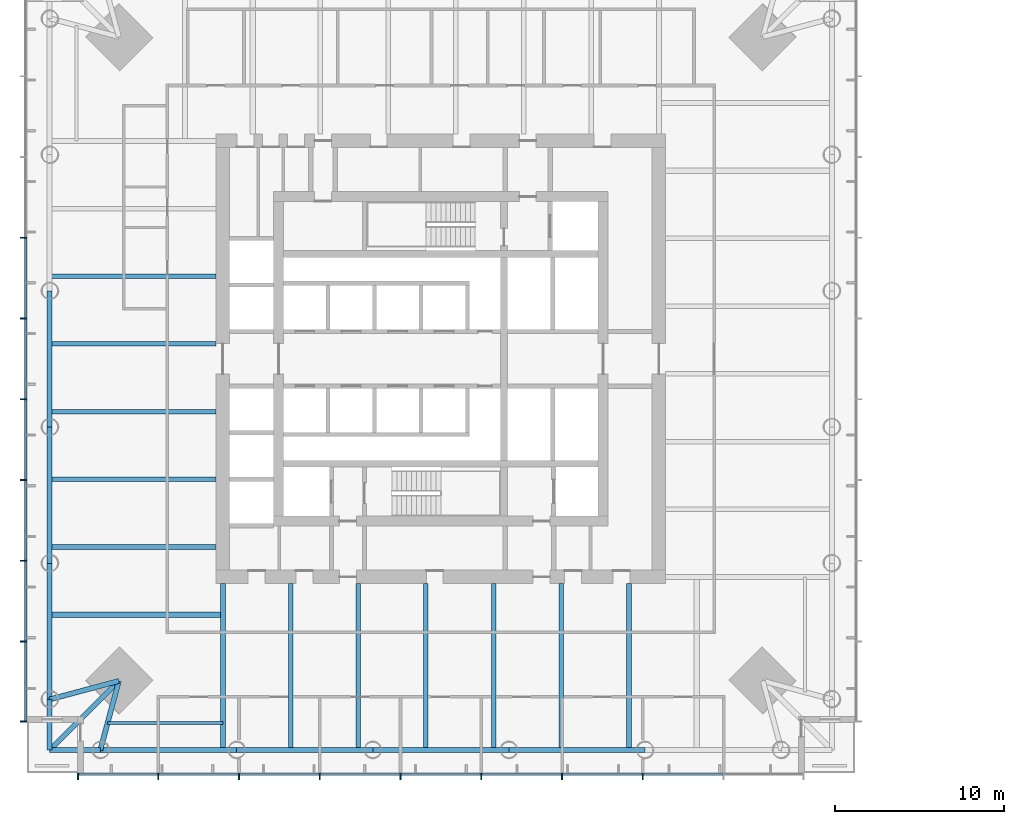
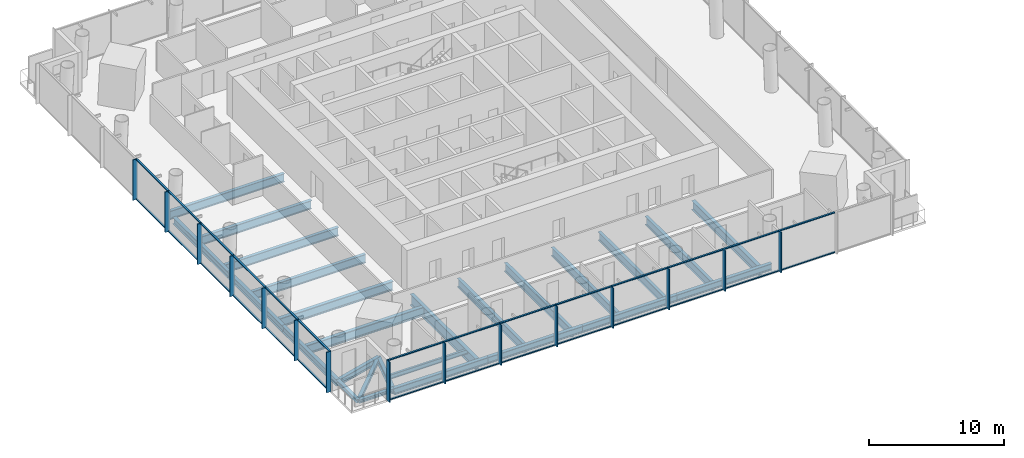
# One storey, part 2 of 21: 43 members, 26 beams, 2 elements without a shape of their own.
"""IFC4 building model written with IfcOpenShell, lengths in metres."""

from ifc_helpers import new_model, si_unit, direction, frame, origin, origin_2d, place, context, subcontext, project, spatial, rectangle, i_section, extrude, material, material_profile, profile_set, type_object, element, aggregate, save


model = new_model("IFC4")

# Units and contexts
model_context = context("Model", 3, precision=1e-05, world=origin(), true_north=direction((0.0, 1.0)))
body_context = subcontext(model_context, "Body", "Model", "MODEL_VIEW")
ifc_project = project(units=[si_unit("LENGTHUNIT", "METRE"), si_unit("AREAUNIT", "SQUARE_METRE"), si_unit("VOLUMEUNIT", "CUBIC_METRE"), si_unit("PLANEANGLEUNIT", "RADIAN"), si_unit("MASSUNIT", "GRAM", prefix="KILO")], contexts=[model_context])

# Site, building, storey
site_placement = place(None, origin())
site = spatial("IfcSite", under=ifc_project, at=site_placement, CompositionType="ELEMENT")
building_placement = place(site_placement, origin())
building = spatial("IfcBuilding", under=site, at=building_placement, Name="Ostroluk Exchange", CompositionType="ELEMENT")
storey_placement = place(building_placement, frame((0.0, 0.0, 47.60009765625)))
storey = spatial("IfcBuildingStorey", under=building, at=storey_placement, Name="L11", CompositionType="ELEMENT", Elevation=47.60009765625)

# Beams
ifc_material_1 = material(Name="Steel S355", Category="steel")
ifc_material_profile_1 = material_profile(ifc_material_1, i_section(OverallWidth=0.300048828125, OverallDepth=0.300048828125, WebThickness=0.010986328125, FlangeThickness=0.01904296875, FilletRadius=0.027099609375, at=origin_2d()), Name="HEB 300")
ifc_profile_set_1 = profile_set([ifc_material_profile_1], Name="Steel S355")
beam_type_1 = type_object("IfcBeamType", Name="Balcony beam HEB 300", PredefinedType="BEAM", material=ifc_profile_set_1)
for number, where, z_axis, x_axis, name in (
    (1, (21.85009765625, 25.85009765625, -0.330078125), (0.0, -1.0, 0.0), (1.0, 0.0, 0.0), "T1 west balcony beam a"),
    (2, (24.85009765625, 22.85009765625, -0.330078125), (-1.0, 0.0, 0.0), (0.0, -1.0, 0.0), "T1 west balcony beam b"),
):
    element("IfcBeam", number, at=place(storey_placement, frame(where, z_axis=z_axis, x_axis=x_axis)), inside=storey, type_object=beam_type_1, Name=name, PredefinedType="BEAM", context=body_context, shape_type="SweptSolid", body=[
        extrude(i_section(OverallWidth=0.300048828125, OverallDepth=0.300048828125, WebThickness=0.010986328125, FlangeThickness=0.01904296875, FilletRadius=0.027099609375, at=origin_2d()), origin(), (0.0, 0.0, 1.0), 3.0),
    ])
beam_1_placement = place(storey_placement, frame((25.949951171875, 26.949951171875, -0.330078125), z_axis=(-0.707106781187, -0.707106781187, 0.0), x_axis=(0.707106781187, -0.707106781187, 0.0)))
element("IfcBeam", 3, at=beam_1_placement, inside=storey, type_object=beam_type_1, Name="T1 west balcony beam c", PredefinedType="BEAM", context=body_context, shape_type="SweptSolid", body=[
    extrude(i_section(OverallWidth=0.300048828125, OverallDepth=0.300048828125, WebThickness=0.010986328125, FlangeThickness=0.01904296875, FilletRadius=0.027099609375, at=origin_2d()), origin(), (0.0, 0.0, 1.0), 5.798095703125),
])
ifc_material_2 = material(Name="Steel S355", Category="steel")
ifc_material_profile_2 = material_profile(ifc_material_2, i_section(OverallWidth=0.300048828125, OverallDepth=0.550048828125, WebThickness=0.014892578125, FlangeThickness=0.029052734375, FilletRadius=0.027099609375, at=origin_2d()), Name="HEB 550")
ifc_profile_set_2 = profile_set([ifc_material_profile_2], Name="Steel S355")
beam_type_2 = type_object("IfcBeamType", Name="Corner edge beam HEB 550", PredefinedType="SPANDREL", material=ifc_profile_set_2)
for number, where, z_axis, x_axis, name in (
    (4, (25.949951171875, 26.949951171875, -0.455078125), (-0.965849156574, -0.259105011038, 0.0), (0.259105011038, -0.965849156574, 0.0), "T1 west corner edge beam a"),
    (5, (25.949951171875, 26.949951171875, -0.455078125), (-0.259105011038, -0.965849156574, 0.0), (0.965849156574, -0.259105011038, 0.0), "T1 west corner edge beam b"),
):
    element("IfcBeam", number, at=place(storey_placement, frame(where, z_axis=z_axis, x_axis=x_axis)), inside=storey, type_object=beam_type_2, Name=name, PredefinedType="SPANDREL", context=body_context, shape_type="SweptSolid", body=[
        extrude(i_section(OverallWidth=0.300048828125, OverallDepth=0.550048828125, WebThickness=0.014892578125, FlangeThickness=0.029052734375, FilletRadius=0.027099609375, at=origin_2d()), origin(), (0.0, 0.0, 1.0), 4.244873046875),
    ])
ifc_material_3 = material(Name="Steel S355", Category="steel")
ifc_material_profile_3 = material_profile(ifc_material_3, i_section(OverallWidth=0.302978515625, OverallDepth=0.81396484375, WebThickness=0.02099609375, FlangeThickness=0.0400390625, FilletRadius=0.030029296875, at=origin_2d()), Name="HEM 800")
ifc_profile_set_3 = profile_set([ifc_material_profile_3], Name="Steel S355")
beam_type_3 = type_object("IfcBeamType", Name="Floor beam HEM 800", PredefinedType="BEAM", material=ifc_profile_set_3)
beam_2_placement = place(storey_placement, frame((31.699951171875, 34.86669921875, -0.587158203125), z_axis=(-1.0, 0.0, 0.0), x_axis=(0.0, -1.0, 0.0)))
element("IfcBeam", 6, at=beam_2_placement, inside=storey, type_object=beam_type_3, Name="T1 west floor beam 6", PredefinedType="BEAM", context=body_context, shape_type="SweptSolid", body=[
    extrude(i_section(OverallWidth=0.302978515625, OverallDepth=0.81396484375, WebThickness=0.02099609375, FlangeThickness=0.0400390625, FilletRadius=0.030029296875, at=origin_2d()), origin(), (0.0, 0.0, 1.0), 9.849853515625),
])
beam_3_placement = place(storey_placement, frame((32.10009765625, 30.861083984375, -0.587158203125), z_axis=(-1.0, 0.0, 0.0), x_axis=(0.0, -1.0, 0.0)))
element("IfcBeam", 7, at=beam_3_placement, inside=storey, type_object=beam_type_3, Name="T1 west floor beam 7", PredefinedType="BEAM", context=body_context, shape_type="SweptSolid", body=[
    extrude(i_section(OverallWidth=0.302978515625, OverallDepth=0.81396484375, WebThickness=0.02099609375, FlangeThickness=0.0400390625, FilletRadius=0.030029296875, at=origin_2d()), origin(), (0.0, 0.0, 1.0), 10.25),
])
beam_4_placement = place(storey_placement, frame((56.13330078125, 32.699951171875, -0.587158203125), z_axis=(0.0, -1.0, 0.0), x_axis=(1.0, 0.0, 0.0)))
element("IfcBeam", 8, at=beam_4_placement, inside=storey, type_object=beam_type_3, Name="T1 south floor beam 6", PredefinedType="BEAM", context=body_context, shape_type="SweptSolid", body=[
    extrude(i_section(OverallWidth=0.302978515625, OverallDepth=0.81396484375, WebThickness=0.02099609375, FlangeThickness=0.0400390625, FilletRadius=0.030029296875, at=origin_2d()), origin(), (0.0, 0.0, 1.0), 9.849853515625),
])
ifc_material_4 = material(Name="Steel S355", Category="steel")
ifc_material_profile_4 = material_profile(ifc_material_4, i_section(OverallWidth=0.179931640625, OverallDepth=0.39990234375, WebThickness=0.008544921875, FlangeThickness=0.013427734375, FilletRadius=0.02099609375, at=origin_2d()), Name="IPE 400")
ifc_profile_set_4 = profile_set([ifc_material_profile_4], Name="Steel S355")
beam_type_4 = type_object("IfcBeamType", Name="Floor beam IPE 400", PredefinedType="BEAM", material=ifc_profile_set_4)
beam_5_placement = place(storey_placement, frame((32.10009765625, 24.449951171875, -0.380126953125), z_axis=(-1.0, 0.0, 0.0), x_axis=(0.0, -1.0, 0.0)))
element("IfcBeam", 9, at=beam_5_placement, inside=storey, type_object=beam_type_4, Name="T1 west floor beam 8", PredefinedType="BEAM", context=body_context, shape_type="SweptSolid", body=[
    extrude(i_section(OverallWidth=0.179931640625, OverallDepth=0.39990234375, WebThickness=0.008544921875, FlangeThickness=0.013427734375, FilletRadius=0.02099609375, at=origin_2d()), origin(), (0.0, 0.0, 1.0), 6.82080078125),
])
ifc_material_5 = material(Name="Steel S355", Category="steel")
ifc_material_profile_5 = material_profile(ifc_material_5, i_section(OverallWidth=0.26806640625, OverallDepth=0.77001953125, WebThickness=0.015625, FlangeThickness=0.025390625, FilletRadius=0.01708984375, at=origin_2d()), Name="IPE 750x196")
ifc_profile_set_5 = profile_set([ifc_material_profile_5], Name="Steel S355")
beam_type_5 = type_object("IfcBeamType", Name="Floor beam IPE 750x196", PredefinedType="BEAM", material=ifc_profile_set_5)
for number, where, z_axis, x_axis, name in (
    (10, (31.699951171875, 50.888916015625, -0.565185546875), (-1.0, 0.0, 0.0), (0.0, -1.0, 0.0), "T1 west floor beam 2"),
    (11, (31.699951171875, 46.88330078125, -0.565185546875), (-1.0, 0.0, 0.0), (0.0, -1.0, 0.0), "T1 west floor beam 3"),
    (12, (31.699951171875, 42.877685546875, -0.565185546875), (-1.0, 0.0, 0.0), (0.0, -1.0, 0.0), "T1 west floor beam 4"),
    (13, (31.699951171875, 38.872314453125, -0.565185546875), (-1.0, 0.0, 0.0), (0.0, -1.0, 0.0), "T1 west floor beam 5"),
    (14, (36.10546875, 32.699951171875, -0.565185546875), (0.0, -1.0, 0.0), (1.0, 0.0, 0.0), "T1 south floor beam 1"),
    (15, (40.111083984375, 32.699951171875, -0.565185546875), (0.0, -1.0, 0.0), (1.0, 0.0, 0.0), "T1 south floor beam 2"),
    (16, (44.11669921875, 32.699951171875, -0.565185546875), (0.0, -1.0, 0.0), (1.0, 0.0, 0.0), "T1 south floor beam 3"),
    (17, (48.122314453125, 32.699951171875, -0.565185546875), (0.0, -1.0, 0.0), (1.0, 0.0, 0.0), "T1 south floor beam 4"),
    (18, (52.127685546875, 32.699951171875, -0.565185546875), (0.0, -1.0, 0.0), (1.0, 0.0, 0.0), "T1 south floor beam 5"),
):
    element("IfcBeam", number, at=place(storey_placement, frame(where, z_axis=z_axis, x_axis=x_axis)), inside=storey, type_object=beam_type_5, Name=name, PredefinedType="BEAM", context=body_context, shape_type="SweptSolid", body=[
        extrude(i_section(OverallWidth=0.26806640625, OverallDepth=0.77001953125, WebThickness=0.015625, FlangeThickness=0.025390625, FilletRadius=0.01708984375, at=origin_2d()), origin(), (0.0, 0.0, 1.0), 9.849853515625),
    ])
ifc_material_6 = material(Name="Steel S355", Category="steel")
ifc_material_profile_6 = material_profile(ifc_material_6, i_section(OverallWidth=0.302001953125, OverallDepth=1.008056640625, WebThickness=0.02099609375, FlangeThickness=0.0400390625, FilletRadius=0.030029296875, at=origin_2d()), Name="HEM 1000")
ifc_profile_set_6 = profile_set([ifc_material_profile_6], Name="Steel S355")
beam_type_6 = type_object("IfcBeamType", Name="Girder HEM 1000", PredefinedType="BEAM", material=ifc_profile_set_6)
beam_6_placement = place(storey_placement, frame((32.10009765625, 32.699951171875, -0.68408203125), z_axis=(0.0, -1.0, 0.0), x_axis=(1.0, 0.0, 0.0)))
element("IfcBeam", 19, at=beam_6_placement, inside=storey, type_object=beam_type_6, Name="T1 west girder", PredefinedType="BEAM", context=body_context, shape_type="SweptSolid", body=[
    extrude(i_section(OverallWidth=0.302001953125, OverallDepth=1.008056640625, WebThickness=0.02099609375, FlangeThickness=0.0400390625, FilletRadius=0.030029296875, at=origin_2d()), origin(), (0.0, 0.0, 1.0), 9.849853515625),
])
ifc_material_7 = material(Name="Steel S355", Category="steel")
ifc_material_profile_7 = material_profile(ifc_material_7, i_section(OverallWidth=0.300048828125, OverallDepth=0.60009765625, WebThickness=0.015380859375, FlangeThickness=0.030029296875, FilletRadius=0.027099609375, at=origin_2d()), Name="HEB 600")
ifc_profile_set_7 = profile_set([ifc_material_profile_7], Name="Steel S355")
beam_type_7 = type_object("IfcBeamType", Name="Moment-connected edge beam HEB 600", PredefinedType="SPANDREL", material=ifc_profile_set_7)
for number, where, z_axis, x_axis, name in (
    (20, (21.85009765625, 50.030029296875, -0.47998046875), (0.0, -1.0, 0.0), (1.0, 0.0, 0.0), "T1 west edge beam 3"),
    (21, (21.85009765625, 41.969970703125, -0.47998046875), (0.0, -1.0, 0.0), (1.0, 0.0, 0.0), "T1 west edge beam 4"),
):
    element("IfcBeam", number, at=place(storey_placement, frame(where, z_axis=z_axis, x_axis=x_axis)), inside=storey, type_object=beam_type_7, Name=name, PredefinedType="SPANDREL", context=body_context, shape_type="SweptSolid", body=[
        extrude(i_section(OverallWidth=0.300048828125, OverallDepth=0.60009765625, WebThickness=0.015380859375, FlangeThickness=0.030029296875, FilletRadius=0.027099609375, at=origin_2d()), origin(), (0.0, 0.0, 1.0), 8.06005859375),
    ])
for number, where, z_axis, x_axis, name in (
    (22, (21.85009765625, 33.909912109375, -0.47998046875), (0.0, -1.0, 0.0), (1.0, 0.0, 0.0), "T1 west edge beam 5"),
    (23, (24.85009765625, 22.85009765625, -0.47998046875), (1.0, 0.0, 0.0), (0.0, 1.0, 0.0), "T1 south edge beam 1"),
):
    element("IfcBeam", number, at=place(storey_placement, frame(where, z_axis=z_axis, x_axis=x_axis)), inside=storey, type_object=beam_type_7, Name=name, PredefinedType="SPANDREL", context=body_context, shape_type="SweptSolid", body=[
        extrude(i_section(OverallWidth=0.300048828125, OverallDepth=0.60009765625, WebThickness=0.015380859375, FlangeThickness=0.030029296875, FilletRadius=0.027099609375, at=origin_2d()), origin(), (0.0, 0.0, 1.0), 8.059814453125),
    ])
for number, where, z_axis, x_axis, name in (
    (24, (32.909912109375, 22.85009765625, -0.47998046875), (1.0, 0.0, 0.0), (0.0, 1.0, 0.0), "T1 south edge beam 2"),
    (25, (40.969970703125, 22.85009765625, -0.47998046875), (1.0, 0.0, 0.0), (0.0, 1.0, 0.0), "T1 south edge beam 3"),
    (26, (49.030029296875, 22.85009765625, -0.47998046875), (1.0, 0.0, 0.0), (0.0, 1.0, 0.0), "T1 south edge beam 4"),
):
    element("IfcBeam", number, at=place(storey_placement, frame(where, z_axis=z_axis, x_axis=x_axis)), inside=storey, type_object=beam_type_7, Name=name, PredefinedType="SPANDREL", context=body_context, shape_type="SweptSolid", body=[
        extrude(i_section(OverallWidth=0.300048828125, OverallDepth=0.60009765625, WebThickness=0.015380859375, FlangeThickness=0.030029296875, FilletRadius=0.027099609375, at=origin_2d()), origin(), (0.0, 0.0, 1.0), 8.06005859375),
    ])

# Curtain wall, members
ifc_material_8 = material(Name="Laminated clear glass", Category="glass")
curtain_wall_type = type_object("IfcCurtainWallType", Name="Office tower facade", PredefinedType="USERDEFINED", material=ifc_material_8)
curtain_wall_1_placement = place(storey_placement, origin())
curtain_wall_1 = element("IfcCurtainWall", 27, at=curtain_wall_1_placement, inside=storey, type_object=curtain_wall_type, Name="Office tower south facade L11", ObjectType="UNITISED CURTAIN WALL", PredefinedType="USERDEFINED")
ifc_material_9 = material(Name="Aluminium mullion", Category="aluminium")
ifc_material_profile_8 = material_profile(ifc_material_9, rectangle(XDim=0.14990234375, YDim=0.080078125, at=origin_2d()), Name="Sill transom 80 x 150")
ifc_profile_set_8 = profile_set([ifc_material_profile_8], Name="Aluminium mullion")
member_type_1 = type_object("IfcMemberType", Name="Sill transom 80 x 150", PredefinedType="USERDEFINED", material=ifc_profile_set_8)
member_1_placement = place(storey_placement, frame((23.580078125, 21.425048828125, 0.039794921875), z_axis=(1.0, 0.0, 0.0), x_axis=(0.0, 1.0, 0.0)))
member_1 = element("IfcMember", 28, at=member_1_placement, type_object=member_type_1, Name="CW-O1 transom 1.1", ObjectType="TRANSOM", PredefinedType="USERDEFINED", context=body_context, shape_type="SweptSolid", body=[
    extrude(rectangle(XDim=0.14990234375, YDim=0.080078125, at=origin_2d()), origin(), (0.0, 0.0, 1.0), 4.65771484375),
])
member_2_placement = place(storey_placement, frame((23.580078125, 21.425048828125, 3.60986328125), z_axis=(1.0, 0.0, 0.0), x_axis=(0.0, 1.0, 0.0)))
member_2 = element("IfcMember", 29, at=member_2_placement, type_object=member_type_1, Name="CW-O1 transom 1.2", ObjectType="TRANSOM", PredefinedType="USERDEFINED", context=body_context, shape_type="SweptSolid", body=[
    extrude(rectangle(XDim=0.14990234375, YDim=0.080078125, at=origin_2d()), origin(), (0.0, 0.0, 1.0), 4.65771484375),
])
member_3_placement = place(storey_placement, frame((28.31787109375, 21.425048828125, 0.039794921875), z_axis=(1.0, 0.0, 0.0), x_axis=(0.0, 1.0, 0.0)))
member_3 = element("IfcMember", 30, at=member_3_placement, type_object=member_type_1, Name="CW-O1 transom 2.1", ObjectType="TRANSOM", PredefinedType="USERDEFINED", context=body_context, shape_type="SweptSolid", body=[
    extrude(rectangle(XDim=0.14990234375, YDim=0.080078125, at=origin_2d()), origin(), (0.0, 0.0, 1.0), 4.69775390625),
])
member_4_placement = place(storey_placement, frame((28.31787109375, 21.425048828125, 3.60986328125), z_axis=(1.0, 0.0, 0.0), x_axis=(0.0, 1.0, 0.0)))
member_4 = element("IfcMember", 31, at=member_4_placement, type_object=member_type_1, Name="CW-O1 transom 2.2", ObjectType="TRANSOM", PredefinedType="USERDEFINED", context=body_context, shape_type="SweptSolid", body=[
    extrude(rectangle(XDim=0.14990234375, YDim=0.080078125, at=origin_2d()), origin(), (0.0, 0.0, 1.0), 4.69775390625),
])
member_5_placement = place(storey_placement, frame((33.095458984375, 21.425048828125, 0.039794921875), z_axis=(1.0, 0.0, 0.0), x_axis=(0.0, 1.0, 0.0)))
member_5 = element("IfcMember", 32, at=member_5_placement, type_object=member_type_1, Name="CW-O1 transom 3.1", ObjectType="TRANSOM", PredefinedType="USERDEFINED", context=body_context, shape_type="SweptSolid", body=[
    extrude(rectangle(XDim=0.14990234375, YDim=0.080078125, at=origin_2d()), origin(), (0.0, 0.0, 1.0), 4.69775390625),
])
member_6_placement = place(storey_placement, frame((33.095458984375, 21.425048828125, 3.60986328125), z_axis=(1.0, 0.0, 0.0), x_axis=(0.0, 1.0, 0.0)))
member_6 = element("IfcMember", 33, at=member_6_placement, type_object=member_type_1, Name="CW-O1 transom 3.2", ObjectType="TRANSOM", PredefinedType="USERDEFINED", context=body_context, shape_type="SweptSolid", body=[
    extrude(rectangle(XDim=0.14990234375, YDim=0.080078125, at=origin_2d()), origin(), (0.0, 0.0, 1.0), 4.69775390625),
])
member_7_placement = place(storey_placement, frame((37.873291015625, 21.425048828125, 0.039794921875), z_axis=(1.0, 0.0, 0.0), x_axis=(0.0, 1.0, 0.0)))
member_7 = element("IfcMember", 34, at=member_7_placement, type_object=member_type_1, Name="CW-O1 transom 4.1", ObjectType="TRANSOM", PredefinedType="USERDEFINED", context=body_context, shape_type="SweptSolid", body=[
    extrude(rectangle(XDim=0.14990234375, YDim=0.080078125, at=origin_2d()), origin(), (0.0, 0.0, 1.0), 4.69775390625),
])
member_8_placement = place(storey_placement, frame((37.873291015625, 21.425048828125, 3.60986328125), z_axis=(1.0, 0.0, 0.0), x_axis=(0.0, 1.0, 0.0)))
member_8 = element("IfcMember", 35, at=member_8_placement, type_object=member_type_1, Name="CW-O1 transom 4.2", ObjectType="TRANSOM", PredefinedType="USERDEFINED", context=body_context, shape_type="SweptSolid", body=[
    extrude(rectangle(XDim=0.14990234375, YDim=0.080078125, at=origin_2d()), origin(), (0.0, 0.0, 1.0), 4.69775390625),
])
member_9_placement = place(storey_placement, frame((42.651123046875, 21.425048828125, 0.039794921875), z_axis=(1.0, 0.0, 0.0), x_axis=(0.0, 1.0, 0.0)))
member_9 = element("IfcMember", 36, at=member_9_placement, type_object=member_type_1, Name="CW-O1 transom 5.1", ObjectType="TRANSOM", PredefinedType="USERDEFINED", context=body_context, shape_type="SweptSolid", body=[
    extrude(rectangle(XDim=0.14990234375, YDim=0.080078125, at=origin_2d()), origin(), (0.0, 0.0, 1.0), 4.69775390625),
])
member_10_placement = place(storey_placement, frame((42.651123046875, 21.425048828125, 3.60986328125), z_axis=(1.0, 0.0, 0.0), x_axis=(0.0, 1.0, 0.0)))
member_10 = element("IfcMember", 37, at=member_10_placement, type_object=member_type_1, Name="CW-O1 transom 5.2", ObjectType="TRANSOM", PredefinedType="USERDEFINED", context=body_context, shape_type="SweptSolid", body=[
    extrude(rectangle(XDim=0.14990234375, YDim=0.080078125, at=origin_2d()), origin(), (0.0, 0.0, 1.0), 4.69775390625),
])
member_11_placement = place(storey_placement, frame((47.428955078125, 21.425048828125, 0.039794921875), z_axis=(1.0, 0.0, 0.0), x_axis=(0.0, 1.0, 0.0)))
member_11 = element("IfcMember", 38, at=member_11_placement, type_object=member_type_1, Name="CW-O1 transom 6.1", ObjectType="TRANSOM", PredefinedType="USERDEFINED", context=body_context, shape_type="SweptSolid", body=[
    extrude(rectangle(XDim=0.14990234375, YDim=0.080078125, at=origin_2d()), origin(), (0.0, 0.0, 1.0), 4.69775390625),
])
member_12_placement = place(storey_placement, frame((47.428955078125, 21.425048828125, 3.60986328125), z_axis=(1.0, 0.0, 0.0), x_axis=(0.0, 1.0, 0.0)))
member_12 = element("IfcMember", 39, at=member_12_placement, type_object=member_type_1, Name="CW-O1 transom 6.2", ObjectType="TRANSOM", PredefinedType="USERDEFINED", context=body_context, shape_type="SweptSolid", body=[
    extrude(rectangle(XDim=0.14990234375, YDim=0.080078125, at=origin_2d()), origin(), (0.0, 0.0, 1.0), 4.69775390625),
])
member_13_placement = place(storey_placement, frame((52.206787109375, 21.425048828125, 0.039794921875), z_axis=(1.0, 0.0, 0.0), x_axis=(0.0, 1.0, 0.0)))
member_13 = element("IfcMember", 40, at=member_13_placement, type_object=member_type_1, Name="CW-O1 transom 7.1", ObjectType="TRANSOM", PredefinedType="USERDEFINED", context=body_context, shape_type="SweptSolid", body=[
    extrude(rectangle(XDim=0.14990234375, YDim=0.080078125, at=origin_2d()), origin(), (0.0, 0.0, 1.0), 4.69775390625),
])
member_14_placement = place(storey_placement, frame((52.206787109375, 21.425048828125, 3.60986328125), z_axis=(1.0, 0.0, 0.0), x_axis=(0.0, 1.0, 0.0)))
member_14 = element("IfcMember", 41, at=member_14_placement, type_object=member_type_1, Name="CW-O1 transom 7.2", ObjectType="TRANSOM", PredefinedType="USERDEFINED", context=body_context, shape_type="SweptSolid", body=[
    extrude(rectangle(XDim=0.14990234375, YDim=0.080078125, at=origin_2d()), origin(), (0.0, 0.0, 1.0), 4.69775390625),
])
member_15_placement = place(storey_placement, frame((56.984375, 21.425048828125, 0.039794921875), z_axis=(1.0, 0.0, 0.0), x_axis=(0.0, 1.0, 0.0)))
member_15 = element("IfcMember", 42, at=member_15_placement, type_object=member_type_1, Name="CW-O1 transom 8.1", ObjectType="TRANSOM", PredefinedType="USERDEFINED", context=body_context, shape_type="SweptSolid", body=[
    extrude(rectangle(XDim=0.14990234375, YDim=0.080078125, at=origin_2d()), origin(), (0.0, 0.0, 1.0), 4.69775390625),
])
member_16_placement = place(storey_placement, frame((56.984375, 21.425048828125, 3.60986328125), z_axis=(1.0, 0.0, 0.0), x_axis=(0.0, 1.0, 0.0)))
member_16 = element("IfcMember", 43, at=member_16_placement, type_object=member_type_1, Name="CW-O1 transom 8.2", ObjectType="TRANSOM", PredefinedType="USERDEFINED", context=body_context, shape_type="SweptSolid", body=[
    extrude(rectangle(XDim=0.14990234375, YDim=0.080078125, at=origin_2d()), origin(), (0.0, 0.0, 1.0), 4.69775390625),
])

curtain_wall_2_placement = place(storey_placement, origin())
curtain_wall_2 = element("IfcCurtainWall", 44, at=curtain_wall_2_placement, inside=storey, type_object=curtain_wall_type, Name="Office tower west facade L11", ObjectType="UNITISED CURTAIN WALL", PredefinedType="USERDEFINED")
member_17_placement = place(storey_placement, frame((20.425048828125, 53.126708984375, 0.039794921875), z_axis=(0.0, -1.0, 0.0), x_axis=(1.0, 0.0, 0.0)))
member_17 = element("IfcMember", 45, at=member_17_placement, type_object=member_type_1, Name="CW-O1 transom 4.1", ObjectType="TRANSOM", PredefinedType="USERDEFINED", context=body_context, shape_type="SweptSolid", body=[
    extrude(rectangle(XDim=0.14990234375, YDim=0.080078125, at=origin_2d()), origin(), (0.0, 0.0, 1.0), 4.69775390625),
])
member_18_placement = place(storey_placement, frame((20.425048828125, 53.126708984375, 3.60986328125), z_axis=(0.0, -1.0, 0.0), x_axis=(1.0, 0.0, 0.0)))
member_18 = element("IfcMember", 46, at=member_18_placement, type_object=member_type_1, Name="CW-O1 transom 4.2", ObjectType="TRANSOM", PredefinedType="USERDEFINED", context=body_context, shape_type="SweptSolid", body=[
    extrude(rectangle(XDim=0.14990234375, YDim=0.080078125, at=origin_2d()), origin(), (0.0, 0.0, 1.0), 4.69775390625),
])
member_19_placement = place(storey_placement, frame((20.425048828125, 48.348876953125, 0.039794921875), z_axis=(0.0, -1.0, 0.0), x_axis=(1.0, 0.0, 0.0)))
member_19 = element("IfcMember", 47, at=member_19_placement, type_object=member_type_1, Name="CW-O1 transom 5.1", ObjectType="TRANSOM", PredefinedType="USERDEFINED", context=body_context, shape_type="SweptSolid", body=[
    extrude(rectangle(XDim=0.14990234375, YDim=0.080078125, at=origin_2d()), origin(), (0.0, 0.0, 1.0), 4.69775390625),
])
member_20_placement = place(storey_placement, frame((20.425048828125, 48.348876953125, 3.60986328125), z_axis=(0.0, -1.0, 0.0), x_axis=(1.0, 0.0, 0.0)))
member_20 = element("IfcMember", 48, at=member_20_placement, type_object=member_type_1, Name="CW-O1 transom 5.2", ObjectType="TRANSOM", PredefinedType="USERDEFINED", context=body_context, shape_type="SweptSolid", body=[
    extrude(rectangle(XDim=0.14990234375, YDim=0.080078125, at=origin_2d()), origin(), (0.0, 0.0, 1.0), 4.69775390625),
])
member_21_placement = place(storey_placement, frame((20.425048828125, 43.571044921875, 0.039794921875), z_axis=(0.0, -1.0, 0.0), x_axis=(1.0, 0.0, 0.0)))
member_21 = element("IfcMember", 49, at=member_21_placement, type_object=member_type_1, Name="CW-O1 transom 6.1", ObjectType="TRANSOM", PredefinedType="USERDEFINED", context=body_context, shape_type="SweptSolid", body=[
    extrude(rectangle(XDim=0.14990234375, YDim=0.080078125, at=origin_2d()), origin(), (0.0, 0.0, 1.0), 4.69775390625),
])
member_22_placement = place(storey_placement, frame((20.425048828125, 43.571044921875, 3.60986328125), z_axis=(0.0, -1.0, 0.0), x_axis=(1.0, 0.0, 0.0)))
member_22 = element("IfcMember", 50, at=member_22_placement, type_object=member_type_1, Name="CW-O1 transom 6.2", ObjectType="TRANSOM", PredefinedType="USERDEFINED", context=body_context, shape_type="SweptSolid", body=[
    extrude(rectangle(XDim=0.14990234375, YDim=0.080078125, at=origin_2d()), origin(), (0.0, 0.0, 1.0), 4.69775390625),
])
member_23_placement = place(storey_placement, frame((20.425048828125, 38.793212890625, 0.039794921875), z_axis=(0.0, -1.0, 0.0), x_axis=(1.0, 0.0, 0.0)))
member_23 = element("IfcMember", 51, at=member_23_placement, type_object=member_type_1, Name="CW-O1 transom 7.1", ObjectType="TRANSOM", PredefinedType="USERDEFINED", context=body_context, shape_type="SweptSolid", body=[
    extrude(rectangle(XDim=0.14990234375, YDim=0.080078125, at=origin_2d()), origin(), (0.0, 0.0, 1.0), 4.69775390625),
])
member_24_placement = place(storey_placement, frame((20.425048828125, 38.793212890625, 3.60986328125), z_axis=(0.0, -1.0, 0.0), x_axis=(1.0, 0.0, 0.0)))
member_24 = element("IfcMember", 52, at=member_24_placement, type_object=member_type_1, Name="CW-O1 transom 7.2", ObjectType="TRANSOM", PredefinedType="USERDEFINED", context=body_context, shape_type="SweptSolid", body=[
    extrude(rectangle(XDim=0.14990234375, YDim=0.080078125, at=origin_2d()), origin(), (0.0, 0.0, 1.0), 4.69775390625),
])
member_25_placement = place(storey_placement, frame((20.425048828125, 34.015625, 0.039794921875), z_axis=(0.0, -1.0, 0.0), x_axis=(1.0, 0.0, 0.0)))
member_25 = element("IfcMember", 53, at=member_25_placement, type_object=member_type_1, Name="CW-O1 transom 8.1", ObjectType="TRANSOM", PredefinedType="USERDEFINED", context=body_context, shape_type="SweptSolid", body=[
    extrude(rectangle(XDim=0.14990234375, YDim=0.080078125, at=origin_2d()), origin(), (0.0, 0.0, 1.0), 4.69775390625),
])
member_26_placement = place(storey_placement, frame((20.425048828125, 34.015625, 3.60986328125), z_axis=(0.0, -1.0, 0.0), x_axis=(1.0, 0.0, 0.0)))
member_26 = element("IfcMember", 54, at=member_26_placement, type_object=member_type_1, Name="CW-O1 transom 8.2", ObjectType="TRANSOM", PredefinedType="USERDEFINED", context=body_context, shape_type="SweptSolid", body=[
    extrude(rectangle(XDim=0.14990234375, YDim=0.080078125, at=origin_2d()), origin(), (0.0, 0.0, 1.0), 4.69775390625),
])
member_27_placement = place(storey_placement, frame((20.425048828125, 29.23779296875, 0.039794921875), z_axis=(0.0, -1.0, 0.0), x_axis=(1.0, 0.0, 0.0)))
member_27 = element("IfcMember", 55, at=member_27_placement, type_object=member_type_1, Name="CW-O1 transom 9.1", ObjectType="TRANSOM", PredefinedType="USERDEFINED", context=body_context, shape_type="SweptSolid", body=[
    extrude(rectangle(XDim=0.14990234375, YDim=0.080078125, at=origin_2d()), origin(), (0.0, 0.0, 1.0), 4.65771484375),
])
member_28_placement = place(storey_placement, frame((20.425048828125, 29.23779296875, 3.60986328125), z_axis=(0.0, -1.0, 0.0), x_axis=(1.0, 0.0, 0.0)))
member_28 = element("IfcMember", 56, at=member_28_placement, type_object=member_type_1, Name="CW-O1 transom 9.2", ObjectType="TRANSOM", PredefinedType="USERDEFINED", context=body_context, shape_type="SweptSolid", body=[
    extrude(rectangle(XDim=0.14990234375, YDim=0.080078125, at=origin_2d()), origin(), (0.0, 0.0, 1.0), 4.65771484375),
])

# Member
ifc_material_10 = material(Name="Aluminium mullion with limestone facing", Category="masonry")
ifc_material_profile_9 = material_profile(ifc_material_10, rectangle(XDim=0.39990234375, YDim=0.080078125, at=origin_2d()), Name="Tracery mullion 80 x 400")
ifc_profile_set_9 = profile_set([ifc_material_profile_9], Name="Aluminium mullion with limestone facing")
member_type_2 = type_object("IfcMemberType", Name="Tracery mullion 80 x 400", PredefinedType="MULLION", material=ifc_profile_set_9)
member_29_placement = place(storey_placement, frame((23.5400390625, 21.300048828125, 0.0), z_axis=(0.0, 0.0, 1.0), x_axis=(0.0, 1.0, 0.0)))
member_29 = element("IfcMember", 57, at=member_29_placement, type_object=member_type_2, Name="CW-O1 mullion 1", PredefinedType="MULLION", context=body_context, shape_type="SweptSolid", body=[
    extrude(rectangle(XDim=0.39990234375, YDim=0.080078125, at=origin_2d()), origin(), (0.0, 0.0, 1.0), 3.64990234375),
])

member_30_placement = place(storey_placement, frame((28.27783203125, 21.300048828125, 0.0), z_axis=(0.0, 0.0, 1.0), x_axis=(0.0, 1.0, 0.0)))
member_30 = element("IfcMember", 58, at=member_30_placement, type_object=member_type_2, Name="CW-O1 mullion 2", PredefinedType="MULLION", context=body_context, shape_type="SweptSolid", body=[
    extrude(rectangle(XDim=0.39990234375, YDim=0.080078125, at=origin_2d()), origin(), (0.0, 0.0, 1.0), 3.64990234375),
])

member_31_placement = place(storey_placement, frame((33.0556640625, 21.300048828125, 0.0), z_axis=(0.0, 0.0, 1.0), x_axis=(0.0, 1.0, 0.0)))
member_31 = element("IfcMember", 59, at=member_31_placement, type_object=member_type_2, Name="CW-O1 mullion 3", PredefinedType="MULLION", context=body_context, shape_type="SweptSolid", body=[
    extrude(rectangle(XDim=0.39990234375, YDim=0.080078125, at=origin_2d()), origin(), (0.0, 0.0, 1.0), 3.64990234375),
])

member_32_placement = place(storey_placement, frame((37.833251953125, 21.300048828125, 0.0), z_axis=(0.0, 0.0, 1.0), x_axis=(0.0, 1.0, 0.0)))
member_32 = element("IfcMember", 60, at=member_32_placement, type_object=member_type_2, Name="CW-O1 mullion 4", PredefinedType="MULLION", context=body_context, shape_type="SweptSolid", body=[
    extrude(rectangle(XDim=0.39990234375, YDim=0.080078125, at=origin_2d()), origin(), (0.0, 0.0, 1.0), 3.64990234375),
])

member_33_placement = place(storey_placement, frame((42.611083984375, 21.300048828125, 0.0), z_axis=(0.0, 0.0, 1.0), x_axis=(0.0, 1.0, 0.0)))
member_33 = element("IfcMember", 61, at=member_33_placement, type_object=member_type_2, Name="CW-O1 mullion 5", PredefinedType="MULLION", context=body_context, shape_type="SweptSolid", body=[
    extrude(rectangle(XDim=0.39990234375, YDim=0.080078125, at=origin_2d()), origin(), (0.0, 0.0, 1.0), 3.64990234375),
])

member_34_placement = place(storey_placement, frame((47.388916015625, 21.300048828125, 0.0), z_axis=(0.0, 0.0, 1.0), x_axis=(0.0, 1.0, 0.0)))
member_34 = element("IfcMember", 62, at=member_34_placement, type_object=member_type_2, Name="CW-O1 mullion 6", PredefinedType="MULLION", context=body_context, shape_type="SweptSolid", body=[
    extrude(rectangle(XDim=0.39990234375, YDim=0.080078125, at=origin_2d()), origin(), (0.0, 0.0, 1.0), 3.64990234375),
])

member_35_placement = place(storey_placement, frame((52.166748046875, 21.300048828125, 0.0), z_axis=(0.0, 0.0, 1.0), x_axis=(0.0, 1.0, 0.0)))
member_35 = element("IfcMember", 63, at=member_35_placement, type_object=member_type_2, Name="CW-O1 mullion 7", PredefinedType="MULLION", context=body_context, shape_type="SweptSolid", body=[
    extrude(rectangle(XDim=0.39990234375, YDim=0.080078125, at=origin_2d()), origin(), (0.0, 0.0, 1.0), 3.64990234375),
])

member_36_placement = place(storey_placement, frame((56.9443359375, 21.300048828125, 0.0), z_axis=(0.0, 0.0, 1.0), x_axis=(0.0, 1.0, 0.0)))
member_36 = element("IfcMember", 64, at=member_36_placement, type_object=member_type_2, Name="CW-O1 mullion 8", PredefinedType="MULLION", context=body_context, shape_type="SweptSolid", body=[
    extrude(rectangle(XDim=0.39990234375, YDim=0.080078125, at=origin_2d()), origin(), (0.0, 0.0, 1.0), 3.64990234375),
])

aggregate(curtain_wall_1, [member_29, member_30, member_31, member_32, member_33, member_34, member_35, member_36, member_1, member_2, member_3, member_4, member_5, member_6, member_7, member_8, member_9, member_10, member_11, member_12, member_13, member_14, member_15, member_16])

member_37_placement = place(storey_placement, frame((20.300048828125, 53.166748046875, 0.0), z_axis=(0.0, 0.0, 1.0), x_axis=(1.0, 0.0, 0.0)))
member_37 = element("IfcMember", 65, at=member_37_placement, type_object=member_type_2, Name="CW-O1 mullion 4", PredefinedType="MULLION", context=body_context, shape_type="SweptSolid", body=[
    extrude(rectangle(XDim=0.39990234375, YDim=0.080078125, at=origin_2d()), origin(), (0.0, 0.0, 1.0), 3.64990234375),
])

member_38_placement = place(storey_placement, frame((20.300048828125, 48.388916015625, 0.0), z_axis=(0.0, 0.0, 1.0), x_axis=(1.0, 0.0, 0.0)))
member_38 = element("IfcMember", 66, at=member_38_placement, type_object=member_type_2, Name="CW-O1 mullion 5", PredefinedType="MULLION", context=body_context, shape_type="SweptSolid", body=[
    extrude(rectangle(XDim=0.39990234375, YDim=0.080078125, at=origin_2d()), origin(), (0.0, 0.0, 1.0), 3.64990234375),
])

member_39_placement = place(storey_placement, frame((20.300048828125, 43.611083984375, 0.0), z_axis=(0.0, 0.0, 1.0), x_axis=(1.0, 0.0, 0.0)))
member_39 = element("IfcMember", 67, at=member_39_placement, type_object=member_type_2, Name="CW-O1 mullion 6", PredefinedType="MULLION", context=body_context, shape_type="SweptSolid", body=[
    extrude(rectangle(XDim=0.39990234375, YDim=0.080078125, at=origin_2d()), origin(), (0.0, 0.0, 1.0), 3.64990234375),
])

member_40_placement = place(storey_placement, frame((20.300048828125, 38.833251953125, 0.0), z_axis=(0.0, 0.0, 1.0), x_axis=(1.0, 0.0, 0.0)))
member_40 = element("IfcMember", 68, at=member_40_placement, type_object=member_type_2, Name="CW-O1 mullion 7", PredefinedType="MULLION", context=body_context, shape_type="SweptSolid", body=[
    extrude(rectangle(XDim=0.39990234375, YDim=0.080078125, at=origin_2d()), origin(), (0.0, 0.0, 1.0), 3.64990234375),
])

member_41_placement = place(storey_placement, frame((20.300048828125, 34.0556640625, 0.0), z_axis=(0.0, 0.0, 1.0), x_axis=(1.0, 0.0, 0.0)))
member_41 = element("IfcMember", 69, at=member_41_placement, type_object=member_type_2, Name="CW-O1 mullion 8", PredefinedType="MULLION", context=body_context, shape_type="SweptSolid", body=[
    extrude(rectangle(XDim=0.39990234375, YDim=0.080078125, at=origin_2d()), origin(), (0.0, 0.0, 1.0), 3.64990234375),
])

member_42_placement = place(storey_placement, frame((20.300048828125, 29.27783203125, 0.0), z_axis=(0.0, 0.0, 1.0), x_axis=(1.0, 0.0, 0.0)))
member_42 = element("IfcMember", 70, at=member_42_placement, type_object=member_type_2, Name="CW-O1 mullion 9", PredefinedType="MULLION", context=body_context, shape_type="SweptSolid", body=[
    extrude(rectangle(XDim=0.39990234375, YDim=0.080078125, at=origin_2d()), origin(), (0.0, 0.0, 1.0), 3.64990234375),
])

member_43_placement = place(storey_placement, frame((20.300048828125, 24.5400390625, 0.0), z_axis=(0.0, 0.0, 1.0), x_axis=(1.0, 0.0, 0.0)))
member_43 = element("IfcMember", 71, at=member_43_placement, type_object=member_type_2, Name="CW-O1 mullion 10", PredefinedType="MULLION", context=body_context, shape_type="SweptSolid", body=[
    extrude(rectangle(XDim=0.39990234375, YDim=0.080078125, at=origin_2d()), origin(), (0.0, 0.0, 1.0), 3.64990234375),
])

aggregate(curtain_wall_2, [member_37, member_38, member_39, member_40, member_41, member_42, member_43, member_17, member_18, member_19, member_20, member_21, member_22, member_23, member_24, member_25, member_26, member_27, member_28])

save(model, "model.ifc")
